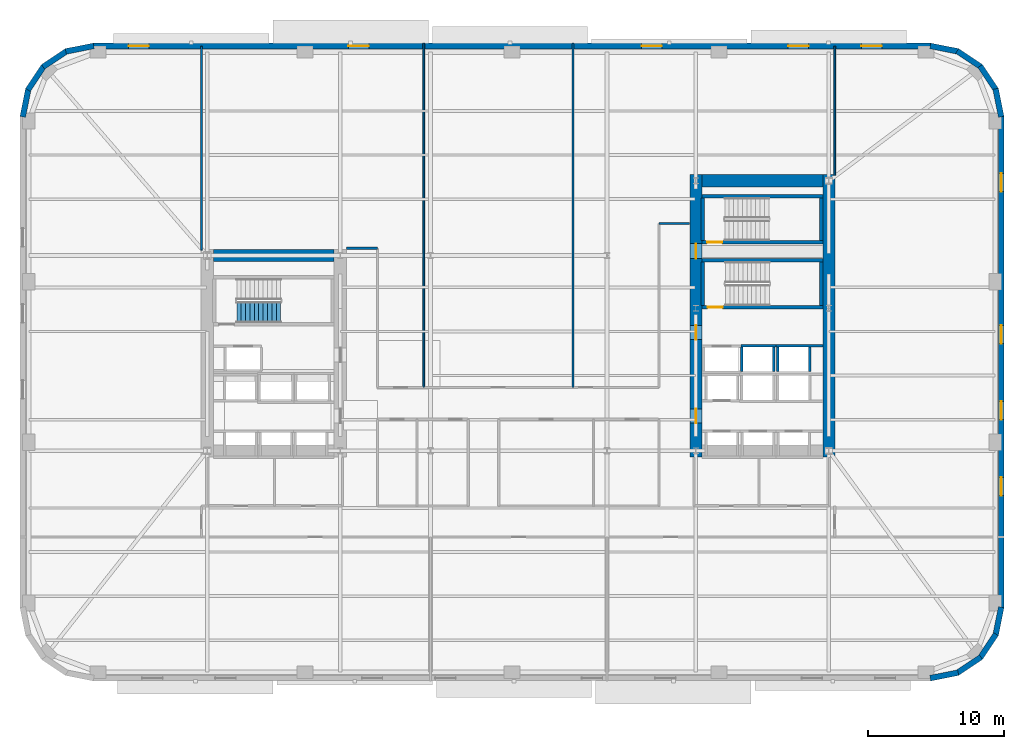
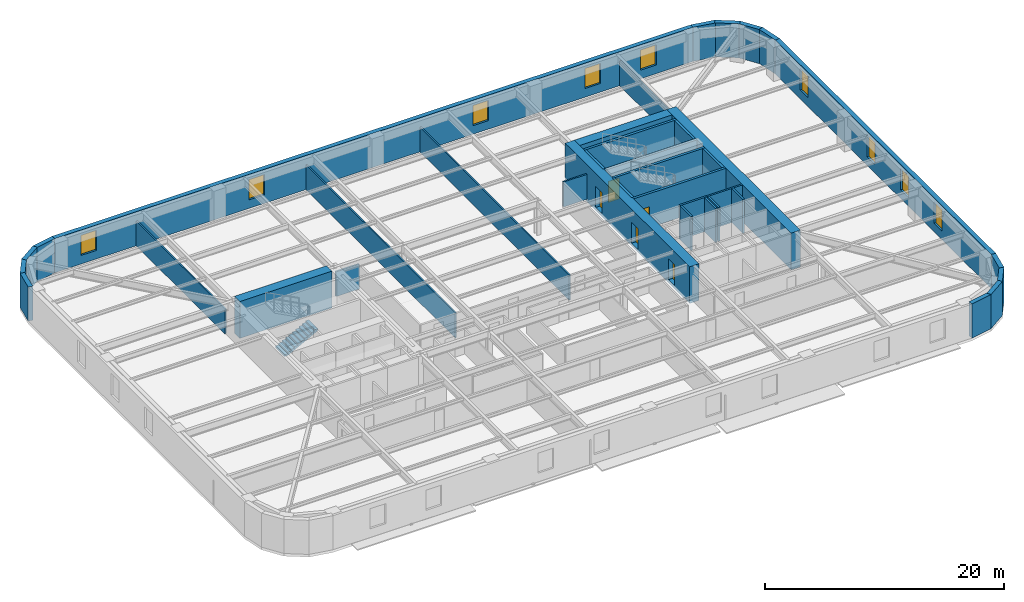
# One storey, part 7 of 14: 38 walls, 9 windows, 5 doors, 1 stair flight, 14 openings, 1 element without a shape of its own.
"""IFC4 building model written with IfcOpenShell, lengths in metres."""

from ifc_helpers import new_model, si_unit, direction, frame, frame_2d, origin, place, context, subcontext, project, spatial, polyline, rectangle, outline, extrude, material, layer, layer_set, type_object, element, fill, aggregate, save


model = new_model("IFC4")

# Units and contexts
model_context = context("Model", 3, precision=1e-05, world=origin(), true_north=direction((0.0, 1.0)))
body_context = subcontext(model_context, "Body", "Model", "MODEL_VIEW")
ifc_project = project(units=[si_unit("LENGTHUNIT", "METRE"), si_unit("AREAUNIT", "SQUARE_METRE"), si_unit("VOLUMEUNIT", "CUBIC_METRE"), si_unit("PLANEANGLEUNIT", "RADIAN"), si_unit("MASSUNIT", "GRAM", prefix="KILO")], contexts=[model_context])

# Site, building, storey
site_placement = place(None, origin())
site = spatial("IfcSite", under=ifc_project, at=site_placement, CompositionType="ELEMENT")
building_placement = place(site_placement, origin())
building = spatial("IfcBuilding", under=site, at=building_placement, Name="Kolvaren Arena Tower", CompositionType="ELEMENT")
storey_placement = place(building_placement, frame((0.0, 0.0, 79.5)))
storey = spatial("IfcBuildingStorey", under=building, at=storey_placement, Name="L17", CompositionType="ELEMENT", Elevation=79.5)

# Walls
ifc_material_1 = material(Name="Gypsum board acoustic assembly", Category="gypsum")
ifc_layer_1 = layer(ifc_material_1, 0.159912109375)
ifc_layer_set_1 = layer_set([ifc_layer_1], Name="Gypsum board acoustic assembly")
wall_type_1 = type_object("IfcWallType", Name="CORR-160", PredefinedType="PARTITIONING", material=ifc_layer_set_1)
for number, where, z_axis, x_axis, name in (
    (1, (24.820068359375, 34.3798828125, 0.0), (0.0, 0.0, 1.0), (1.0, 0.0, 0.0), "Interior Partition Wall (L17)"),
    (2, (47.820068359375, 36.199951171875, 0.0), (0.0, 0.0, 1.0), (1.0, 0.0, 0.0), "Interior Partition Wall (L17)"),
):
    element("IfcWall", number, at=place(storey_placement, frame(where, z_axis=z_axis, x_axis=x_axis)), inside=storey, type_object=wall_type_1, Name=name, PredefinedType="PARTITIONING", context=body_context, shape_type="SweptSolid", body=[
        extrude(rectangle(XDim=2.260009765625, YDim=0.159912109375, at=frame_2d((1.1298828125, 0.0))), origin(), (0.0, 0.0, 1.0), 2.5400390625),
    ])
ifc_material_2 = material(Name="Concrete 80 MPa", Category="concrete")
ifc_layer_2 = layer(ifc_material_2, 0.89990234375)
ifc_layer_set_2 = layer_set([ifc_layer_2], Name="Concrete 80 MPa")
wall_type_2 = type_object("IfcWallType", Name="CWALL-900", PredefinedType="SHEAR", material=ifc_layer_set_2)
wall_1_placement = place(storey_placement, frame((15.0, 33.85009765625, -0.27001953125), z_axis=(0.0, 0.0, 1.0), x_axis=(1.0, 0.0, 0.0)))
element("IfcWall", 3, at=wall_1_placement, inside=storey, type_object=wall_type_2, Name="Core Shear Wall WC-NORTH (L17)", PredefinedType="SHEAR", context=body_context, shape_type="SweptSolid", body=[
    extrude(rectangle(XDim=8.89990234375, YDim=0.89990234375, at=frame_2d((4.449951171875, 0.0))), origin(), (0.0, 0.0, 1.0), 3.75),
])

# Wall, openings, doors
wall_2_placement = place(storey_placement, frame((50.550048828125, 19.0, -0.27001953125), z_axis=(0.0, 0.0, 1.0), x_axis=(0.0, 1.0, 0.0)))
wall_2 = element("IfcWall", 4, at=wall_2_placement, inside=storey, type_object=wall_type_2, Name="Core Shear Wall EC-WEST (L17)", PredefinedType="SHEAR", context=body_context, shape_type="SweptSolid", body=[
    extrude(rectangle(XDim=20.800048828125, YDim=0.89990234375, at=frame_2d((10.39990234375, 0.0))), origin(), (0.0, 0.0, 1.0), 3.75),
])
opening_1_placement = place(wall_2_placement, frame((2.5, 0.0, 0.27001953125)))
opening_1 = element("IfcOpeningElement", 5, at=opening_1_placement, cuts=wall_2, Name="Opening D04", PredefinedType="OPENING", context=body_context, shape_type="SweptSolid", body=[
    extrude(rectangle(XDim=1.050048828125, YDim=2.14990234375, at=frame_2d((0.52490234375, 1.074951171875))), frame((0.0, 0.4599609375, 0.0), z_axis=(0.0, -1.0, 0.0), x_axis=(1.0, 0.0, 0.0)), (0.0, 0.0, 1.0), 0.919921875),
])
opening_2_placement = place(wall_2_placement, frame((8.64990234375, 0.0, 0.27001953125)))
opening_2 = element("IfcOpeningElement", 6, at=opening_2_placement, cuts=wall_2, Name="Opening D04", PredefinedType="OPENING", context=body_context, shape_type="SweptSolid", body=[
    extrude(rectangle(XDim=1.050048828125, YDim=2.14990234375, at=frame_2d((0.52490234375, 1.074951171875))), frame((0.0, 0.4599609375, 0.0), z_axis=(0.0, -1.0, 0.0), x_axis=(1.0, 0.0, 0.0)), (0.0, 0.0, 1.0), 0.919921875),
])
opening_3_placement = place(wall_2_placement, frame((14.6201171875, 0.0, 0.27001953125)))
opening_3 = element("IfcOpeningElement", 7, at=opening_3_placement, cuts=wall_2, Name="Opening D03", PredefinedType="OPENING", context=body_context, shape_type="SweptSolid", body=[
    extrude(rectangle(XDim=1.10009765625, YDim=2.14990234375, at=frame_2d((0.550048828125, 1.074951171875))), frame((0.0, 0.4599609375, 0.0), z_axis=(0.0, -1.0, 0.0), x_axis=(1.0, 0.0, 0.0)), (0.0, 0.0, 1.0), 0.919921875),
])
ifc_material_3 = material(Name="Fire-rated steel lobby door", Category="steel")
door_type_1 = type_object("IfcDoorType", Name="DOOR-FF-105", OperationType="NOTDEFINED", PredefinedType="DOOR", material=ifc_material_3)
door_1_placement = place(opening_1_placement, origin())
door_1 = element("IfcDoor", 8, at=door_1_placement, inside=storey, type_object=door_type_1, Name="East Lift Lobby Fire Door (L17)", OperationType="SINGLE_SWING_RIGHT", OverallHeight=2.14990234375, OverallWidth=1.050048828125, PredefinedType="DOOR", context=body_context, shape_type="SweptSolid", body=[
    extrude(rectangle(XDim=1.050048828125, YDim=2.14990234375, at=frame_2d((0.52490234375, 1.074951171875))), frame((0.0, 0.02490234375, 0.0), z_axis=(0.0, -1.0, 0.0), x_axis=(1.0, 0.0, 0.0)), (0.0, 0.0, 1.0), 0.050048828125),
])
fill(opening_1, door_1)
door_2_placement = place(opening_2_placement, origin())
door_2 = element("IfcDoor", 9, at=door_2_placement, inside=storey, type_object=door_type_1, Name="East Firefighter Vestibule Door (L17)", OperationType="SINGLE_SWING_LEFT", OverallHeight=2.14990234375, OverallWidth=1.050048828125, PredefinedType="DOOR", context=body_context, shape_type="SweptSolid", body=[
    extrude(rectangle(XDim=1.050048828125, YDim=2.14990234375, at=frame_2d((0.52490234375, 1.074951171875))), frame((0.0, 0.02490234375, 0.0), z_axis=(0.0, -1.0, 0.0), x_axis=(1.0, 0.0, 0.0)), (0.0, 0.0, 1.0), 0.050048828125),
])
fill(opening_2, door_2)
ifc_material_4 = material(Name="Fire-rated steel exit stair door", Category="steel")
door_type_2 = type_object("IfcDoorType", Name="DOOR-ST-110", OperationType="NOTDEFINED", PredefinedType="DOOR", material=ifc_material_4)
door_3_placement = place(opening_3_placement, origin())
door_3 = element("IfcDoor", 10, at=door_3_placement, inside=storey, type_object=door_type_2, Name="Stair ST-E2 Vestibule Fire Door (L17)", OperationType="SINGLE_SWING_LEFT", OverallHeight=2.14990234375, OverallWidth=1.10009765625, PredefinedType="DOOR", context=body_context, shape_type="SweptSolid", body=[
    extrude(rectangle(XDim=1.10009765625, YDim=2.14990234375, at=frame_2d((0.550048828125, 1.074951171875))), frame((0.0, 0.02490234375, 0.0), z_axis=(0.0, -1.0, 0.0), x_axis=(1.0, 0.0, 0.0)), (0.0, 0.0, 1.0), 0.050048828125),
])
fill(opening_3, door_3)

# Walls
wall_3_placement = place(storey_placement, frame((60.35009765625, 19.0, -0.27001953125), z_axis=(0.0, 0.0, 1.0), x_axis=(0.0, 1.0, 0.0)))
element("IfcWall", 11, at=wall_3_placement, inside=storey, type_object=wall_type_2, Name="Core Shear Wall EC-EAST (L17)", PredefinedType="SHEAR", context=body_context, shape_type="SweptSolid", body=[
    extrude(rectangle(XDim=20.800048828125, YDim=0.89990234375, at=frame_2d((10.39990234375, 0.0))), origin(), (0.0, 0.0, 1.0), 3.75),
])
wall_4_placement = place(storey_placement, frame((51.0, 39.35009765625, -0.27001953125), z_axis=(0.0, 0.0, 1.0), x_axis=(1.0, 0.0, 0.0)))
element("IfcWall", 12, at=wall_4_placement, inside=storey, type_object=wall_type_2, Name="Core Shear Wall EC-NORTH (L17)", PredefinedType="SHEAR", context=body_context, shape_type="SweptSolid", body=[
    extrude(rectangle(XDim=8.89990234375, YDim=0.89990234375, at=frame_2d((4.449951171875, 0.0))), origin(), (0.0, 0.0, 1.0), 3.75),
])
ifc_material_5 = material(Name="Precast concrete C50/60", Category="concrete")
ifc_layer_3 = layer(ifc_material_5, 0.419921875)
ifc_layer_set_3 = layer_set([ifc_layer_3], Name="Precast concrete C50/60")
wall_type_3 = type_object("IfcWallType", Name="EXT-PIER1", PredefinedType="SOLIDWALL", material=ifc_layer_set_3)
for number, where, z_axis, x_axis, name in (
    (13, (69.87548828125, 3.1171875, 0.0), (0.0, 0.0, 1.0), (-0.9807762837, -0.195135546048, 0.0), "Exterior Precast Masonry-Frame Wall (L17)"),
    (14, (71.5517578125, 4.256103515625, 0.0), (0.0, 0.0, 1.0), (-0.831515102434, -0.555502146192, 0.0), "Exterior Precast Masonry-Frame Wall (L17)"),
    (15, (72.664306640625, 5.9501953125, 0.0), (0.0, 0.0, 1.0), (-0.555502146192, -0.831515102434, 0.0), "Exterior Precast Masonry-Frame Wall (L17)"),
    (16, (73.0439453125, 7.94091796875, 0.0), (0.0, 0.0, 1.0), (-0.195135546048, -0.9807762837, 0.0), "Exterior Precast Masonry-Frame Wall (L17)"),
):
    element("IfcWall", number, at=place(storey_placement, frame(where, z_axis=z_axis, x_axis=x_axis)), inside=storey, type_object=wall_type_3, Name=name, PredefinedType="SOLIDWALL", context=body_context, shape_type="SweptSolid", body=[
        extrude(rectangle(XDim=2.10693359375, YDim=0.419921875, at=frame_2d((1.053466796875, 0.0))), origin(), (0.0, 0.0, 1.0), 3.47998046875),
    ])

# Wall, openings, windows
wall_5_placement = place(storey_placement, frame((73.0400390625, 44.10009765625, 0.0), z_axis=(0.0, 0.0, 1.0), x_axis=(0.0, -1.0, 0.0)))
wall_5 = element("IfcWall", 17, at=wall_5_placement, inside=storey, type_object=wall_type_3, Name="Exterior Precast Masonry-Frame Wall (L17)", PredefinedType="SOLIDWALL", context=body_context, shape_type="SweptSolid", body=[
    extrude(rectangle(XDim=36.2001953125, YDim=0.419921875, at=frame_2d((18.10009765625, 0.0))), origin(), (0.0, 0.0, 1.0), 3.47998046875),
])
opening_4_placement = place(wall_5_placement, frame((4.199951171875, 0.0, 0.8798828125)))
opening_4 = element("IfcOpeningElement", 18, at=opening_4_placement, cuts=wall_5, Name="Opening W04", PredefinedType="OPENING", context=body_context, shape_type="SweptSolid", body=[
    extrude(rectangle(XDim=1.35009765625, YDim=2.199951171875, at=frame_2d((0.675048828125, 1.10009765625))), frame((0.0, 0.219970703125, 0.0), z_axis=(0.0, -1.0, 0.0), x_axis=(1.0, 0.0, 0.0)), (0.0, 0.0, 1.0), 0.43994140625),
])
opening_5_placement = place(wall_5_placement, frame((15.39990234375, 0.0, 0.8798828125)))
opening_5 = element("IfcOpeningElement", 19, at=opening_5_placement, cuts=wall_5, Name="Opening W04", PredefinedType="OPENING", context=body_context, shape_type="SweptSolid", body=[
    extrude(rectangle(XDim=1.35009765625, YDim=2.199951171875, at=frame_2d((0.675048828125, 1.10009765625))), frame((0.0, 0.219970703125, 0.0), z_axis=(0.0, -1.0, 0.0), x_axis=(1.0, 0.0, 0.0)), (0.0, 0.0, 1.0), 0.43994140625),
])
opening_6_placement = place(wall_5_placement, frame((21.0, 0.0, 0.8798828125)))
opening_6 = element("IfcOpeningElement", 20, at=opening_6_placement, cuts=wall_5, Name="Opening W04", PredefinedType="OPENING", context=body_context, shape_type="SweptSolid", body=[
    extrude(rectangle(XDim=1.35009765625, YDim=2.199951171875, at=frame_2d((0.675048828125, 1.10009765625))), frame((0.0, 0.219970703125, 0.0), z_axis=(0.0, -1.0, 0.0), x_axis=(1.0, 0.0, 0.0)), (0.0, 0.0, 1.0), 0.43994140625),
])
opening_7_placement = place(wall_5_placement, frame((26.60009765625, 0.0, 0.8798828125)))
opening_7 = element("IfcOpeningElement", 21, at=opening_7_placement, cuts=wall_5, Name="Opening W04", PredefinedType="OPENING", context=body_context, shape_type="SweptSolid", body=[
    extrude(rectangle(XDim=1.35009765625, YDim=2.199951171875, at=frame_2d((0.675048828125, 1.10009765625))), frame((0.0, 0.219970703125, 0.0), z_axis=(0.0, -1.0, 0.0), x_axis=(1.0, 0.0, 0.0)), (0.0, 0.0, 1.0), 0.43994140625),
])
ifc_material_6 = material(Name="Triple-glazed curved-facet corner window", Category="glass")
window_type_1 = type_object("IfcWindowType", Name="WIN-CRN-A", PartitioningType="SINGLE_PANEL", PredefinedType="WINDOW", material=ifc_material_6)
window_1_placement = place(opening_4_placement, origin())
window_1 = element("IfcWindow", 22, at=window_1_placement, inside=storey, type_object=window_type_1, Name="End-Wall Punched Window (L17)", OverallHeight=2.199951171875, OverallWidth=1.35009765625, PartitioningType="SINGLE_PANEL", PredefinedType="WINDOW", context=body_context, shape_type="SweptSolid", body=[
    extrude(rectangle(XDim=1.35009765625, YDim=2.199951171875, at=frame_2d((0.675048828125, 1.10009765625))), frame((0.0, 0.030029296875, 0.0), z_axis=(0.0, -1.0, 0.0), x_axis=(1.0, 0.0, 0.0)), (0.0, 0.0, 1.0), 0.06005859375),
])
fill(opening_4, window_1)
window_2_placement = place(opening_5_placement, origin())
window_2 = element("IfcWindow", 23, at=window_2_placement, inside=storey, type_object=window_type_1, Name="End-Wall Punched Window (L17)", OverallHeight=2.199951171875, OverallWidth=1.35009765625, PartitioningType="SINGLE_PANEL", PredefinedType="WINDOW", context=body_context, shape_type="SweptSolid", body=[
    extrude(rectangle(XDim=1.35009765625, YDim=2.199951171875, at=frame_2d((0.675048828125, 1.10009765625))), frame((0.0, 0.030029296875, 0.0), z_axis=(0.0, -1.0, 0.0), x_axis=(1.0, 0.0, 0.0)), (0.0, 0.0, 1.0), 0.06005859375),
])
fill(opening_5, window_2)
window_3_placement = place(opening_6_placement, origin())
window_3 = element("IfcWindow", 24, at=window_3_placement, inside=storey, type_object=window_type_1, Name="End-Wall Punched Window (L17)", OverallHeight=2.199951171875, OverallWidth=1.35009765625, PartitioningType="SINGLE_PANEL", PredefinedType="WINDOW", context=body_context, shape_type="SweptSolid", body=[
    extrude(rectangle(XDim=1.35009765625, YDim=2.199951171875, at=frame_2d((0.675048828125, 1.10009765625))), frame((0.0, 0.030029296875, 0.0), z_axis=(0.0, -1.0, 0.0), x_axis=(1.0, 0.0, 0.0)), (0.0, 0.0, 1.0), 0.06005859375),
])
fill(opening_6, window_3)
window_4_placement = place(opening_7_placement, origin())
window_4 = element("IfcWindow", 25, at=window_4_placement, inside=storey, type_object=window_type_1, Name="End-Wall Punched Window (L17)", OverallHeight=2.199951171875, OverallWidth=1.35009765625, PartitioningType="SINGLE_PANEL", PredefinedType="WINDOW", context=body_context, shape_type="SweptSolid", body=[
    extrude(rectangle(XDim=1.35009765625, YDim=2.199951171875, at=frame_2d((0.675048828125, 1.10009765625))), frame((0.0, 0.030029296875, 0.0), z_axis=(0.0, -1.0, 0.0), x_axis=(1.0, 0.0, 0.0)), (0.0, 0.0, 1.0), 0.06005859375),
])
fill(opening_7, window_4)

# Walls
for number, where, z_axis, x_axis, name in (
    (26, (72.6328125, 46.12548828125, 0.0), (0.0, 0.0, 1.0), (0.195135546048, -0.9807762837, 0.0), "Exterior Precast Masonry-Frame Wall (L17)"),
    (27, (71.493896484375, 47.8017578125, 0.0), (0.0, 0.0, 1.0), (0.555502146192, -0.831515102434, 0.0), "Exterior Precast Masonry-Frame Wall (L17)"),
    (28, (69.7998046875, 48.914306640625, 0.0), (0.0, 0.0, 1.0), (0.831515102434, -0.555502146192, 0.0), "Exterior Precast Masonry-Frame Wall (L17)"),
    (29, (67.80908203125, 49.2939453125, 0.0), (0.0, 0.0, 1.0), (0.9807762837, -0.195135546048, 0.0), "Exterior Precast Masonry-Frame Wall (L17)"),
):
    element("IfcWall", number, at=place(storey_placement, frame(where, z_axis=z_axis, x_axis=x_axis)), inside=storey, type_object=wall_type_3, Name=name, PredefinedType="SOLIDWALL", context=body_context, shape_type="SweptSolid", body=[
        extrude(rectangle(XDim=2.10693359375, YDim=0.419921875, at=frame_2d((1.053466796875, 0.0))), origin(), (0.0, 0.0, 1.0), 3.47998046875),
    ])

# Wall, openings, windows
wall_6_placement = place(storey_placement, frame((6.14990234375, 49.2900390625, 0.0), z_axis=(0.0, 0.0, 1.0), x_axis=(1.0, 0.0, 0.0)))
wall_6 = element("IfcWall", 30, at=wall_6_placement, inside=storey, type_object=wall_type_3, Name="Exterior Precast Masonry-Frame Wall (L17)", PredefinedType="SOLIDWALL", context=body_context, shape_type="SweptSolid", body=[
    extrude(rectangle(XDim=61.7001953125, YDim=0.419921875, at=frame_2d((30.85009765625, 0.0))), origin(), (0.0, 0.0, 1.0), 3.47998046875),
])
opening_8_placement = place(wall_6_placement, frame((2.60009765625, 0.0, 0.8798828125)))
opening_8 = element("IfcOpeningElement", 31, at=opening_8_placement, cuts=wall_6, Name="Opening W03", PredefinedType="OPENING", context=body_context, shape_type="SweptSolid", body=[
    extrude(rectangle(XDim=1.5, YDim=2.050048828125, at=frame_2d((0.75, 1.02490234375))), frame((0.0, 0.219970703125, 0.0), z_axis=(0.0, -1.0, 0.0), x_axis=(1.0, 0.0, 0.0)), (0.0, 0.0, 1.0), 0.43994140625),
])
opening_9_placement = place(wall_6_placement, frame((18.800048828125, 0.0, 0.8798828125)))
opening_9 = element("IfcOpeningElement", 32, at=opening_9_placement, cuts=wall_6, Name="Opening W03", PredefinedType="OPENING", context=body_context, shape_type="SweptSolid", body=[
    extrude(rectangle(XDim=1.5, YDim=2.050048828125, at=frame_2d((0.75, 1.02490234375))), frame((0.0, 0.219970703125, 0.0), z_axis=(0.0, -1.0, 0.0), x_axis=(1.0, 0.0, 0.0)), (0.0, 0.0, 1.0), 0.43994140625),
])
opening_10_placement = place(wall_6_placement, frame((40.39990234375, 0.0, 0.8798828125)))
opening_10 = element("IfcOpeningElement", 33, at=opening_10_placement, cuts=wall_6, Name="Opening W03", PredefinedType="OPENING", context=body_context, shape_type="SweptSolid", body=[
    extrude(rectangle(XDim=1.5, YDim=2.050048828125, at=frame_2d((0.75, 1.02490234375))), frame((0.0, 0.219970703125, 0.0), z_axis=(0.0, -1.0, 0.0), x_axis=(1.0, 0.0, 0.0)), (0.0, 0.0, 1.0), 0.43994140625),
])
opening_11_placement = place(wall_6_placement, frame((51.199951171875, 0.0, 0.8798828125)))
opening_11 = element("IfcOpeningElement", 34, at=opening_11_placement, cuts=wall_6, Name="Opening W03", PredefinedType="OPENING", context=body_context, shape_type="SweptSolid", body=[
    extrude(rectangle(XDim=1.5, YDim=2.050048828125, at=frame_2d((0.75, 1.02490234375))), frame((0.0, 0.219970703125, 0.0), z_axis=(0.0, -1.0, 0.0), x_axis=(1.0, 0.0, 0.0)), (0.0, 0.0, 1.0), 0.43994140625),
])
opening_12_placement = place(wall_6_placement, frame((56.60009765625, 0.0, 0.8798828125)))
opening_12 = element("IfcOpeningElement", 35, at=opening_12_placement, cuts=wall_6, Name="Opening W03", PredefinedType="OPENING", context=body_context, shape_type="SweptSolid", body=[
    extrude(rectangle(XDim=1.5, YDim=2.050048828125, at=frame_2d((0.75, 1.02490234375))), frame((0.0, 0.219970703125, 0.0), z_axis=(0.0, -1.0, 0.0), x_axis=(1.0, 0.0, 0.0)), (0.0, 0.0, 1.0), 0.43994140625),
])
ifc_material_7 = material(Name="Triple-glazed low-E aluminium window", Category="aluminium")
window_type_2 = type_object("IfcWindowType", Name="WIN-OFF-C", PartitioningType="SINGLE_PANEL", PredefinedType="WINDOW", material=ifc_material_7)
window_5_placement = place(opening_8_placement, origin())
window_5 = element("IfcWindow", 36, at=window_5_placement, inside=storey, type_object=window_type_2, Name="Punched Precast-Pier Window (L17)", OverallHeight=2.050048828125, OverallWidth=1.5, PartitioningType="SINGLE_PANEL", PredefinedType="WINDOW", context=body_context, shape_type="SweptSolid", body=[
    extrude(rectangle(XDim=1.5, YDim=2.050048828125, at=frame_2d((0.75, 1.02490234375))), frame((0.0, 0.030029296875, 0.0), z_axis=(0.0, -1.0, 0.0), x_axis=(1.0, 0.0, 0.0)), (0.0, 0.0, 1.0), 0.06005859375),
])
fill(opening_8, window_5)
window_6_placement = place(opening_9_placement, origin())
window_6 = element("IfcWindow", 37, at=window_6_placement, inside=storey, type_object=window_type_2, Name="Punched Precast-Pier Window (L17)", OverallHeight=2.050048828125, OverallWidth=1.5, PartitioningType="SINGLE_PANEL", PredefinedType="WINDOW", context=body_context, shape_type="SweptSolid", body=[
    extrude(rectangle(XDim=1.5, YDim=2.050048828125, at=frame_2d((0.75, 1.02490234375))), frame((0.0, 0.030029296875, 0.0), z_axis=(0.0, -1.0, 0.0), x_axis=(1.0, 0.0, 0.0)), (0.0, 0.0, 1.0), 0.06005859375),
])
fill(opening_9, window_6)
window_7_placement = place(opening_10_placement, origin())
window_7 = element("IfcWindow", 38, at=window_7_placement, inside=storey, type_object=window_type_2, Name="Punched Precast-Pier Window (L17)", OverallHeight=2.050048828125, OverallWidth=1.5, PartitioningType="SINGLE_PANEL", PredefinedType="WINDOW", context=body_context, shape_type="SweptSolid", body=[
    extrude(rectangle(XDim=1.5, YDim=2.050048828125, at=frame_2d((0.75, 1.02490234375))), frame((0.0, 0.030029296875, 0.0), z_axis=(0.0, -1.0, 0.0), x_axis=(1.0, 0.0, 0.0)), (0.0, 0.0, 1.0), 0.06005859375),
])
fill(opening_10, window_7)
window_8_placement = place(opening_11_placement, origin())
window_8 = element("IfcWindow", 39, at=window_8_placement, inside=storey, type_object=window_type_2, Name="Punched Precast-Pier Window (L17)", OverallHeight=2.050048828125, OverallWidth=1.5, PartitioningType="SINGLE_PANEL", PredefinedType="WINDOW", context=body_context, shape_type="SweptSolid", body=[
    extrude(rectangle(XDim=1.5, YDim=2.050048828125, at=frame_2d((0.75, 1.02490234375))), frame((0.0, 0.030029296875, 0.0), z_axis=(0.0, -1.0, 0.0), x_axis=(1.0, 0.0, 0.0)), (0.0, 0.0, 1.0), 0.06005859375),
])
fill(opening_11, window_8)
window_9_placement = place(opening_12_placement, origin())
window_9 = element("IfcWindow", 40, at=window_9_placement, inside=storey, type_object=window_type_2, Name="Punched Precast-Pier Window (L17)", OverallHeight=2.050048828125, OverallWidth=1.5, PartitioningType="SINGLE_PANEL", PredefinedType="WINDOW", context=body_context, shape_type="SweptSolid", body=[
    extrude(rectangle(XDim=1.5, YDim=2.050048828125, at=frame_2d((0.75, 1.02490234375))), frame((0.0, 0.030029296875, 0.0), z_axis=(0.0, -1.0, 0.0), x_axis=(1.0, 0.0, 0.0)), (0.0, 0.0, 1.0), 0.06005859375),
])
fill(opening_12, window_9)

# Walls
for number, where, z_axis, x_axis, name in (
    (41, (4.12451171875, 48.8828125, 0.0), (0.0, 0.0, 1.0), (0.9807762837, 0.195135546048, 0.0), "Exterior Precast Masonry-Frame Wall (L17)"),
    (42, (2.4482421875, 47.743896484375, 0.0), (0.0, 0.0, 1.0), (0.831515102434, 0.555502146192, 0.0), "Exterior Precast Masonry-Frame Wall (L17)"),
    (43, (1.335693359375, 46.0498046875, 0.0), (0.0, 0.0, 1.0), (0.555502146192, 0.831515102434, 0.0), "Exterior Precast Masonry-Frame Wall (L17)"),
    (44, (0.9560546875, 44.05908203125, 0.0), (0.0, 0.0, 1.0), (0.195135546048, 0.9807762837, 0.0), "Exterior Precast Masonry-Frame Wall (L17)"),
):
    element("IfcWall", number, at=place(storey_placement, frame(where, z_axis=z_axis, x_axis=x_axis)), inside=storey, type_object=wall_type_3, Name=name, PredefinedType="SOLIDWALL", context=body_context, shape_type="SweptSolid", body=[
        extrude(rectangle(XDim=2.10693359375, YDim=0.419921875, at=frame_2d((1.053466796875, 0.0))), origin(), (0.0, 0.0, 1.0), 3.47998046875),
    ])
ifc_material_8 = material(Name="Gypsum board partition assembly", Category="gypsum")
ifc_layer_4 = layer(ifc_material_8, 0.135009765625)
ifc_layer_set_4 = layer_set([ifc_layer_4], Name="Gypsum board partition assembly")
wall_type_4 = type_object("IfcWallType", Name="PART-135", PredefinedType="PARTITIONING", material=ifc_layer_set_4)
for number, where, z_axis, x_axis, name in (
    (45, (30.5, 24.1201171875, 0.0), (0.0, 0.0, 1.0), (0.0, 1.0, 0.0), "Interior Partition Wall (L17)"),
    (46, (41.5, 24.1201171875, 0.0), (0.0, 0.0, 1.0), (0.0, 1.0, 0.0), "Interior Partition Wall (L17)"),
):
    element("IfcWall", number, at=place(storey_placement, frame(where, z_axis=z_axis, x_axis=x_axis)), inside=storey, type_object=wall_type_4, Name=name, PredefinedType="PARTITIONING", context=body_context, shape_type="SweptSolid", body=[
        extrude(rectangle(XDim=25.3798828125, YDim=0.135009765625, at=frame_2d((12.68994140625, 0.0))), origin(), (0.0, 0.0, 1.0), 2.5400390625),
    ])
wall_7_placement = place(storey_placement, frame((14.1201171875, 34.25, 0.0), z_axis=(0.0, 0.0, 1.0), x_axis=(0.0, 1.0, 0.0)))
element("IfcWall", 47, at=wall_7_placement, inside=storey, type_object=wall_type_4, Name="Interior Partition Wall (L17)", PredefinedType="PARTITIONING", context=body_context, shape_type="SweptSolid", body=[
    extrude(rectangle(XDim=15.010009765625, YDim=0.135009765625, at=frame_2d((7.5048828125, 0.0))), origin(), (0.0, 0.0, 1.0), 2.5400390625),
])
wall_8_placement = place(storey_placement, frame((60.780029296875, 39.75, 0.0), z_axis=(0.0, 0.0, 1.0), x_axis=(0.0, 1.0, 0.0)))
element("IfcWall", 48, at=wall_8_placement, inside=storey, type_object=wall_type_4, Name="Interior Partition Wall (L17)", PredefinedType="PARTITIONING", context=body_context, shape_type="SweptSolid", body=[
    extrude(rectangle(XDim=9.510009765625, YDim=0.135009765625, at=frame_2d((4.7548828125, 0.0))), origin(), (0.0, 0.0, 1.0), 2.5400390625),
])

# Wall, opening, door
ifc_material_9 = material(Name="Concrete 45 MPa", Category="concrete")
ifc_layer_5 = layer(ifc_material_9, 0.25)
ifc_layer_set_5 = layer_set([ifc_layer_5], Name="Concrete 45 MPa")
wall_type_5 = type_object("IfcWallType", Name="SHAFT-250", PredefinedType="SOLIDWALL", material=ifc_layer_set_5)
wall_9_placement = place(storey_placement, frame((59.89990234375, 30.030029296875, 0.0), z_axis=(0.0, 0.0, 1.0), x_axis=(-1.0, 0.0, 0.0)))
wall_9 = element("IfcWall", 49, at=wall_9_placement, inside=storey, type_object=wall_type_5, Name="Core Shaft Wall (L17)", PredefinedType="SOLIDWALL", context=body_context, shape_type="SweptSolid", body=[
    extrude(rectangle(XDim=8.89990234375, YDim=0.239990234375, at=frame_2d((4.449951171875, 0.0))), origin(), (0.0, 0.0, 1.0), 3.47998046875),
])
opening_13_placement = place(wall_9_placement, frame((7.3798828125, 0.0, 0.0)))
opening_13 = element("IfcOpeningElement", 50, at=opening_13_placement, cuts=wall_9, Name="Opening D03", PredefinedType="OPENING", context=body_context, shape_type="SweptSolid", body=[
    extrude(rectangle(XDim=1.10009765625, YDim=2.14990234375, at=frame_2d((0.550048828125, 1.074951171875))), frame((0.0, 0.1298828125, 0.0), z_axis=(0.0, -1.0, 0.0), x_axis=(1.0, 0.0, 0.0)), (0.0, 0.0, 1.0), 0.260009765625),
])
door_4_placement = place(opening_13_placement, origin())
door_4 = element("IfcDoor", 51, at=door_4_placement, inside=storey, type_object=door_type_2, Name="Stair ST-E1 Fire Door (L17)", OperationType="SINGLE_SWING_LEFT", OverallHeight=2.14990234375, OverallWidth=1.10009765625, PredefinedType="DOOR", context=body_context, shape_type="SweptSolid", body=[
    extrude(rectangle(XDim=1.10009765625, YDim=2.14990234375, at=frame_2d((0.550048828125, 1.074951171875))), frame((0.0, 0.02490234375, 0.0), z_axis=(0.0, -1.0, 0.0), x_axis=(1.0, 0.0, 0.0)), (0.0, 0.0, 1.0), 0.050048828125),
])
fill(opening_13, door_4)

# Walls
wall_10_placement = place(storey_placement, frame((51.0, 33.5, 0.0), z_axis=(0.0, 0.0, 1.0), x_axis=(1.0, 0.0, 0.0)))
element("IfcWall", 52, at=wall_10_placement, inside=storey, type_object=wall_type_5, Name="Core Shaft Wall (L17)", PredefinedType="SOLIDWALL", context=body_context, shape_type="SweptSolid", body=[
    extrude(rectangle(XDim=8.89990234375, YDim=0.239990234375, at=frame_2d((4.449951171875, 0.0))), origin(), (0.0, 0.0, 1.0), 3.47998046875),
])
for number, where, z_axis, x_axis, name in (
    (53, (51.06005859375, 30.14990234375, 0.0), (0.0, 0.0, 1.0), (0.0, 1.0, 0.0), "Core Shaft Wall (L17)"),
    (54, (59.780029296875, 30.14990234375, 0.0), (0.0, 0.0, 1.0), (0.0, 1.0, 0.0), "Core Shaft Wall (L17)"),
):
    element("IfcWall", number, at=place(storey_placement, frame(where, z_axis=z_axis, x_axis=x_axis)), inside=storey, type_object=wall_type_5, Name=name, PredefinedType="SOLIDWALL", context=body_context, shape_type="SweptSolid", body=[
        extrude(rectangle(XDim=3.22998046875, YDim=0.239990234375, at=frame_2d((1.614990234375, 0.0))), origin(), (0.0, 0.0, 1.0), 3.47998046875),
    ])

# Wall, opening, door
wall_11_placement = place(storey_placement, frame((59.89990234375, 34.830078125, 0.0), z_axis=(0.0, 0.0, 1.0), x_axis=(-1.0, 0.0, 0.0)))
wall_11 = element("IfcWall", 55, at=wall_11_placement, inside=storey, type_object=wall_type_5, Name="Core Shaft Wall (L17)", PredefinedType="SOLIDWALL", context=body_context, shape_type="SweptSolid", body=[
    extrude(rectangle(XDim=8.89990234375, YDim=0.239990234375, at=frame_2d((4.449951171875, 0.0))), origin(), (0.0, 0.0, 1.0), 3.47998046875),
])
opening_14_placement = place(wall_11_placement, frame((7.419921875, 0.0, 0.0)))
opening_14 = element("IfcOpeningElement", 56, at=opening_14_placement, cuts=wall_11, Name="Opening D03", PredefinedType="OPENING", context=body_context, shape_type="SweptSolid", body=[
    extrude(rectangle(XDim=1.10009765625, YDim=2.14990234375, at=frame_2d((0.550048828125, 1.074951171875))), frame((0.0, 0.1298828125, 0.0), z_axis=(0.0, -1.0, 0.0), x_axis=(1.0, 0.0, 0.0)), (0.0, 0.0, 1.0), 0.260009765625),
])
door_5_placement = place(opening_14_placement, origin())
door_5 = element("IfcDoor", 57, at=door_5_placement, inside=storey, type_object=door_type_2, Name="Stair ST-E2 Fire Door (L17)", OperationType="SINGLE_SWING_LEFT", OverallHeight=2.14990234375, OverallWidth=1.10009765625, PredefinedType="DOOR", context=body_context, shape_type="SweptSolid", body=[
    extrude(rectangle(XDim=1.10009765625, YDim=2.14990234375, at=frame_2d((0.550048828125, 1.074951171875))), frame((0.0, 0.02490234375, 0.0), z_axis=(0.0, -1.0, 0.0), x_axis=(1.0, 0.0, 0.0)), (0.0, 0.0, 1.0), 0.050048828125),
])
fill(opening_14, door_5)

# Walls
wall_12_placement = place(storey_placement, frame((51.0, 38.219970703125, 0.0), z_axis=(0.0, 0.0, 1.0), x_axis=(1.0, 0.0, 0.0)))
element("IfcWall", 58, at=wall_12_placement, inside=storey, type_object=wall_type_5, Name="Core Shaft Wall (L17)", PredefinedType="SOLIDWALL", context=body_context, shape_type="SweptSolid", body=[
    extrude(rectangle(XDim=8.89990234375, YDim=0.239990234375, at=frame_2d((4.449951171875, 0.0))), origin(), (0.0, 0.0, 1.0), 3.47998046875),
])
for number, where, z_axis, x_axis, name in (
    (59, (51.06005859375, 34.949951171875, 0.0), (0.0, 0.0, 1.0), (0.0, 1.0, 0.0), "Core Shaft Wall (L17)"),
    (60, (59.780029296875, 34.949951171875, 0.0), (0.0, 0.0, 1.0), (0.0, 1.0, 0.0), "Core Shaft Wall (L17)"),
):
    element("IfcWall", number, at=place(storey_placement, frame(where, z_axis=z_axis, x_axis=x_axis)), inside=storey, type_object=wall_type_5, Name=name, PredefinedType="SOLIDWALL", context=body_context, shape_type="SweptSolid", body=[
        extrude(rectangle(XDim=3.150146484375, YDim=0.239990234375, at=frame_2d((1.5751953125, 0.0))), origin(), (0.0, 0.0, 1.0), 3.47998046875),
    ])
wall_13_placement = place(storey_placement, frame((53.864990234375, 27.205078125, 0.0), z_axis=(0.0, 0.0, 1.0), x_axis=(1.0, 0.0, 0.0)))
element("IfcWall", 61, at=wall_13_placement, inside=storey, type_object=wall_type_5, Name="Core Shaft Wall (L17)", PredefinedType="SOLIDWALL", context=body_context, shape_type="SweptSolid", body=[
    extrude(rectangle(XDim=2.574951171875, YDim=0.179931640625, at=frame_2d((1.28759765625, 0.0))), origin(), (0.0, 0.0, 1.0), 3.47998046875),
])
for number, where, z_axis, x_axis, name in (
    (62, (53.93994140625, 25.284912109375, 0.0), (0.0, 0.0, 1.0), (0.0, 1.0, 0.0), "Core Shaft Wall (L17)"),
    (63, (56.300048828125, 25.284912109375, 0.0), (0.0, 0.0, 1.0), (0.0, 1.0, 0.0), "Core Shaft Wall (L17)"),
):
    element("IfcWall", number, at=place(storey_placement, frame(where, z_axis=z_axis, x_axis=x_axis)), inside=storey, type_object=wall_type_5, Name=name, PredefinedType="SOLIDWALL", context=body_context, shape_type="SweptSolid", body=[
        extrude(rectangle(XDim=1.830078125, YDim=0.179931640625, at=frame_2d((0.9150390625, 0.0))), origin(), (0.0, 0.0, 1.0), 3.47998046875),
    ])
wall_14_placement = place(storey_placement, frame((56.43994140625, 27.205078125, 0.0), z_axis=(0.0, 0.0, 1.0), x_axis=(1.0, 0.0, 0.0)))
element("IfcWall", 64, at=wall_14_placement, inside=storey, type_object=wall_type_5, Name="Core Shaft Wall (L17)", PredefinedType="SOLIDWALL", context=body_context, shape_type="SweptSolid", body=[
    extrude(rectangle(XDim=3.4599609375, YDim=0.179931640625, at=frame_2d((1.72998046875, 0.0))), origin(), (0.0, 0.0, 1.0), 3.47998046875),
])
for number, where, z_axis, x_axis, name in (
    (65, (56.580078125, 25.284912109375, 0.0), (0.0, 0.0, 1.0), (0.0, 1.0, 0.0), "Core Shaft Wall (L17)"),
    (66, (58.93994140625, 25.284912109375, 0.0), (0.0, 0.0, 1.0), (0.0, 1.0, 0.0), "Core Shaft Wall (L17)"),
):
    element("IfcWall", number, at=place(storey_placement, frame(where, z_axis=z_axis, x_axis=x_axis)), inside=storey, type_object=wall_type_5, Name=name, PredefinedType="SOLIDWALL", context=body_context, shape_type="SweptSolid", body=[
        extrude(rectangle(XDim=1.830078125, YDim=0.179931640625, at=frame_2d((0.9150390625, 0.0))), origin(), (0.0, 0.0, 1.0), 3.47998046875),
    ])

# Stair, stair flight
stair_type = type_object("IfcStairType", Name="STAIR-CORE-165", PredefinedType="HALF_TURN_STAIR", material=ifc_material_9)
stair_placement = place(storey_placement, origin())
stair = element("IfcStair", 67, at=stair_placement, inside=storey, type_object=stair_type, Name="L17 ST-W1", PredefinedType="HALF_TURN_STAIR")
stair_flight_type = type_object("IfcStairFlightType", Name="FLT-165", PredefinedType="STRAIGHT", material=ifc_material_9)
stair_flight_placement = place(storey_placement, frame((16.719970703125, 29.669921875, 0.0), z_axis=(0.0, 0.0, 1.0), x_axis=(1.0, 0.0, 0.0)))
stair_flight = element("IfcStairFlight", 68, at=stair_flight_placement, type_object=stair_flight_type, Name="ST-W1 flight 1", NumberOfRisers=11, NumberOfTreads=10, PredefinedType="STRAIGHT", RiserHeight=0.170454545, TreadLength=0.324, context=body_context, shape_type="SweptSolid", body=[
    extrude(outline(polyline([(0.0, 0.0), (0.0, 0.17041015625), (0.323974609375, 0.17041015625), (0.323974609375, 0.3408203125), (0.64794921875, 0.3408203125), (0.64794921875, 0.511474609375), (0.971923828125, 0.511474609375), (0.971923828125, 0.681884765625), (1.2958984375, 0.681884765625), (1.2958984375, 0.852294921875), (1.6201171875, 0.852294921875), (1.6201171875, 1.022705078125), (1.944091796875, 1.022705078125), (1.944091796875, 1.193115234375), (2.26806640625, 1.193115234375), (2.26806640625, 1.363525390625), (2.592041015625, 1.363525390625), (2.592041015625, 1.5341796875), (2.916015625, 1.5341796875), (2.916015625, 1.70458984375), (3.239990234375, 1.70458984375), (3.239990234375, 1.875), (3.239990234375, 1.53515625), (0.322021484375, 0.0), (0.0, 0.0)])), frame((0.0, 0.77001953125, 0.0), z_axis=(0.0, -1.0, 0.0), x_axis=(1.0, 0.0, 0.0)), (0.0, 0.0, 1.0), 1.5400390625),
])
aggregate(stair, [stair_flight])

save(model, "model.ifc")
